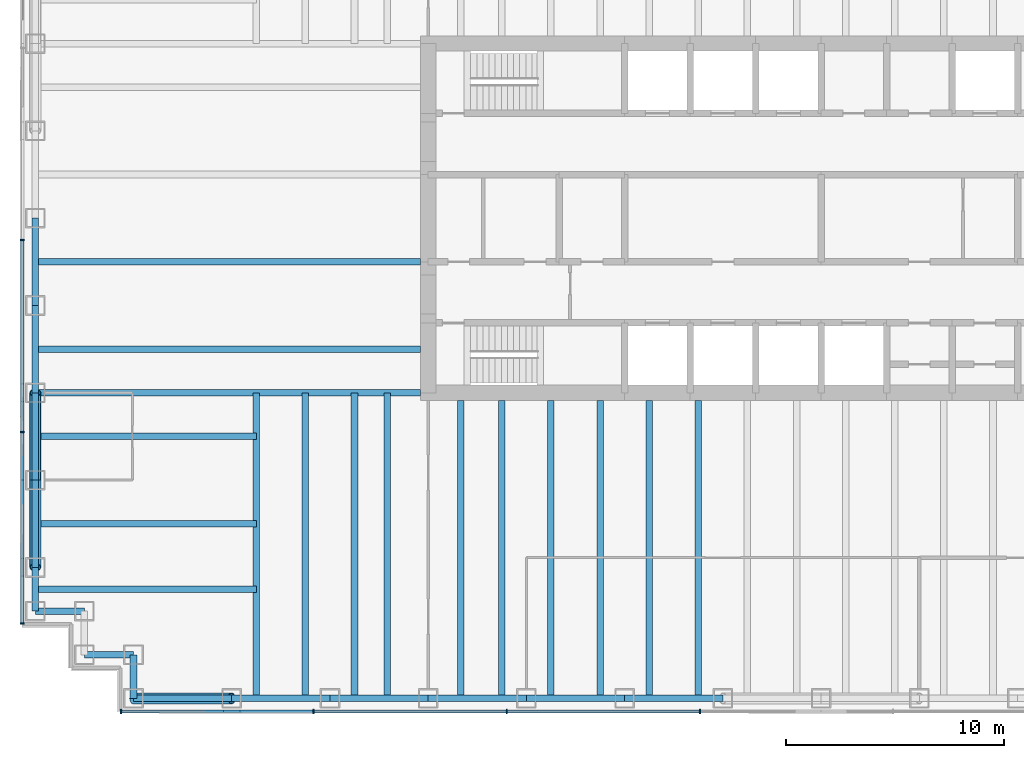
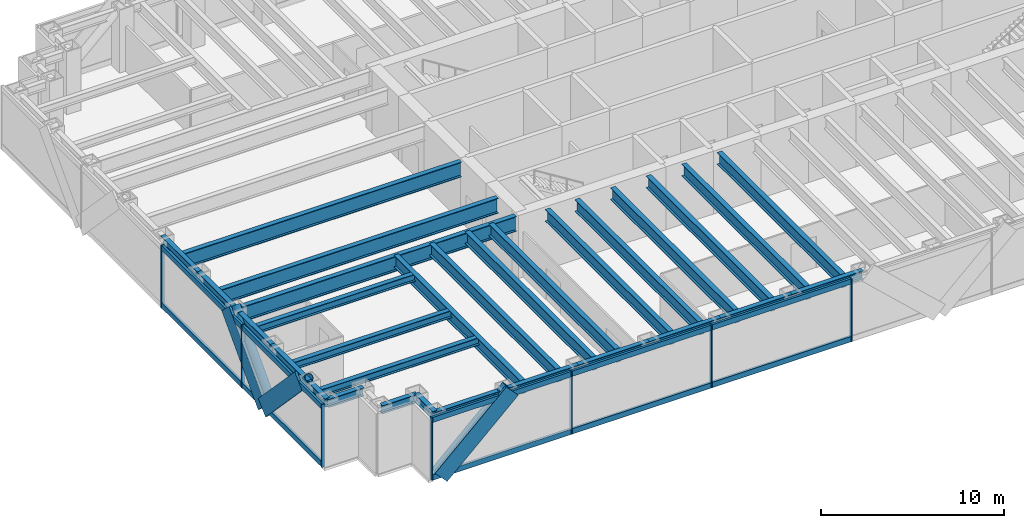
# One storey, part 2 of 17: 30 beams, 23 members, 2 elements without a shape of their own.
"""IFC4 building model written with IfcOpenShell, lengths in metres."""

from ifc_helpers import new_model, si_unit, direction, frame, origin, origin_2d, place, context, subcontext, project, spatial, rectangle, hollow_circle, i_section, extrude, material, material_profile, profile_set, type_object, element, aggregate, save


model = new_model("IFC4")

# Units and contexts
model_context = context("Model", 3, precision=1e-05, world=origin(), true_north=direction((0.0, 1.0)))
body_context = subcontext(model_context, "Body", "Model", "MODEL_VIEW")
ifc_project = project(units=[si_unit("LENGTHUNIT", "METRE"), si_unit("AREAUNIT", "SQUARE_METRE"), si_unit("VOLUMEUNIT", "CUBIC_METRE"), si_unit("PLANEANGLEUNIT", "RADIAN"), si_unit("MASSUNIT", "GRAM", prefix="KILO")], contexts=[model_context])

# Site, building, storey
site_placement = place(None, origin())
site = spatial("IfcSite", under=ifc_project, at=site_placement, CompositionType="ELEMENT")
building_placement = place(site_placement, origin())
building = spatial("IfcBuilding", under=site, at=building_placement, Name="Rheinbord Bourse Tower", CompositionType="ELEMENT")
storey_placement = place(building_placement, frame((0.0, 0.0, 304.699951171875)))
storey = spatial("IfcBuildingStorey", under=building, at=storey_placement, Name="L69", CompositionType="ELEMENT", Elevation=304.699951171875)

# Curtain wall, member
ifc_material_1 = material(Name="Dark glass and black aluminium", Category="aluminium")
curtain_wall_type = type_object("IfcCurtainWallType", Name="CW3 DARK GLASS CURTAIN WALL", PredefinedType="USERDEFINED", material=ifc_material_1)
curtain_wall_1_placement = place(storey_placement, origin())
curtain_wall_1 = element("IfcCurtainWall", 1, at=curtain_wall_1_placement, inside=storey, type_object=curtain_wall_type, Name="Curtain wall CW3 S L69", ObjectType="UNITISED CURTAIN WALL", PredefinedType="USERDEFINED")
ifc_material_2 = material(Name="Black anodised aluminium", Category="aluminium")
ifc_material_profile_1 = material_profile(ifc_material_2, rectangle(XDim=0.14990234375, YDim=1.10791015625, at=origin_2d()), Name="CW3 DIAGONAL MULLION 1108x150")
ifc_profile_set_1 = profile_set([ifc_material_profile_1], Name="Black anodised aluminium")
member_type_1 = type_object("IfcMemberType", Name="CW3 BLACK DIAGONAL MULLION", PredefinedType="USERDEFINED", material=ifc_profile_set_1)
member_1_placement = place(storey_placement, frame((4.5, 1.39990234375, 0.0), z_axis=(0.73105922506, 0.0, 0.682314010889), x_axis=(0.0, 1.0, 0.0)))
member_1 = element("IfcMember", 2, at=member_1_placement, type_object=member_type_1, Name="CW3 diagonal mullion b", ObjectType="DIAGONAL MULLION", PredefinedType="USERDEFINED", context=body_context, shape_type="SweptSolid", body=[
    extrude(rectangle(XDim=0.14990234375, YDim=1.10791015625, at=origin_2d()), origin(), (0.0, 0.0, 1.0), 6.155517578125),
])

# Curtain wall, members
curtain_wall_2_placement = place(storey_placement, origin())
curtain_wall_2 = element("IfcCurtainWall", 3, at=curtain_wall_2_placement, inside=storey, type_object=curtain_wall_type, Name="Curtain wall CW3 W L69", ObjectType="UNITISED CURTAIN WALL", PredefinedType="USERDEFINED")
member_2_placement = place(storey_placement, frame((-0.60009765625, 12.0, 0.0), z_axis=(0.0, -0.689659376744, 0.724133926887), x_axis=(1.0, 0.0, 0.0)))
member_2 = element("IfcMember", 4, at=member_2_placement, type_object=member_type_1, Name="CW3 diagonal mullion a", ObjectType="DIAGONAL MULLION", PredefinedType="USERDEFINED", context=body_context, shape_type="SweptSolid", body=[
    extrude(rectangle(XDim=0.14990234375, YDim=1.10791015625, at=origin_2d()), origin(), (0.0, 0.0, 1.0), 5.800048828125),
])
member_3_placement = place(storey_placement, frame((-0.60009765625, 12.0, 0.0), z_axis=(0.0, 0.689659376744, 0.724133926887), x_axis=(-1.0, 0.0, 0.0)))
member_3 = element("IfcMember", 5, at=member_3_placement, type_object=member_type_1, Name="CW3 diagonal mullion c", ObjectType="DIAGONAL MULLION", PredefinedType="USERDEFINED", context=body_context, shape_type="SweptSolid", body=[
    extrude(rectangle(XDim=0.14990234375, YDim=1.10791015625, at=origin_2d()), origin(), (0.0, 0.0, 1.0), 5.800048828125),
])

# Member
ifc_material_3 = material(Name="Black anodised aluminium", Category="aluminium")
ifc_material_profile_2 = material_profile(ifc_material_3, rectangle(XDim=0.199951171875, YDim=0.06494140625, at=origin_2d()), Name="CW3 MULLION 65x200")
ifc_profile_set_2 = profile_set([ifc_material_profile_2], Name="Black anodised aluminium")
member_type_2 = type_object("IfcMemberType", Name="CW3 BLACK MULLION", PredefinedType="MULLION", material=ifc_profile_set_2)
member_4_placement = place(storey_placement, frame((3.9326171875, 1.39990234375, 0.0), z_axis=(0.0, 0.0, 1.0), x_axis=(0.0, 1.0, 0.0)))
member_4 = element("IfcMember", 6, at=member_4_placement, type_object=member_type_2, Name="CW3 mullion 1", PredefinedType="MULLION", context=body_context, shape_type="SweptSolid", body=[
    extrude(rectangle(XDim=0.199951171875, YDim=0.06494140625, at=origin_2d()), origin(), (0.0, 0.0, 1.0), 4.199951171875),
])

member_5_placement = place(storey_placement, frame((12.75, 1.39990234375, 0.0), z_axis=(0.0, 0.0, 1.0), x_axis=(0.0, 1.0, 0.0)))
member_5 = element("IfcMember", 7, at=member_5_placement, type_object=member_type_2, Name="CW3 mullion 2", PredefinedType="MULLION", context=body_context, shape_type="SweptSolid", body=[
    extrude(rectangle(XDim=0.199951171875, YDim=0.06494140625, at=origin_2d()), origin(), (0.0, 0.0, 1.0), 4.199951171875),
])

member_6_placement = place(storey_placement, frame((21.60009765625, 1.39990234375, 0.0), z_axis=(0.0, 0.0, 1.0), x_axis=(0.0, 1.0, 0.0)))
member_6 = element("IfcMember", 8, at=member_6_placement, type_object=member_type_2, Name="CW3 mullion 3", PredefinedType="MULLION", context=body_context, shape_type="SweptSolid", body=[
    extrude(rectangle(XDim=0.199951171875, YDim=0.06494140625, at=origin_2d()), origin(), (0.0, 0.0, 1.0), 4.199951171875),
])

member_7_placement = place(storey_placement, frame((30.449951171875, 1.39990234375, 0.0), z_axis=(0.0, 0.0, 1.0), x_axis=(0.0, 1.0, 0.0)))
member_7 = element("IfcMember", 9, at=member_7_placement, type_object=member_type_2, Name="CW3 mullion 4", PredefinedType="MULLION", context=body_context, shape_type="SweptSolid", body=[
    extrude(rectangle(XDim=0.199951171875, YDim=0.06494140625, at=origin_2d()), origin(), (0.0, 0.0, 1.0), 4.199951171875),
])

member_8_placement = place(storey_placement, frame((-0.60009765625, 23.0, 0.0), z_axis=(0.0, 0.0, 1.0), x_axis=(1.0, 0.0, 0.0)))
member_8 = element("IfcMember", 10, at=member_8_placement, type_object=member_type_2, Name="CW3 mullion 3", PredefinedType="MULLION", context=body_context, shape_type="SweptSolid", body=[
    extrude(rectangle(XDim=0.199951171875, YDim=0.06494140625, at=origin_2d()), origin(), (0.0, 0.0, 1.0), 4.199951171875),
])

member_9_placement = place(storey_placement, frame((-0.60009765625, 14.199951171875, 0.0), z_axis=(0.0, 0.0, 1.0), x_axis=(1.0, 0.0, 0.0)))
member_9 = element("IfcMember", 11, at=member_9_placement, type_object=member_type_2, Name="CW3 mullion 4", PredefinedType="MULLION", context=body_context, shape_type="SweptSolid", body=[
    extrude(rectangle(XDim=0.199951171875, YDim=0.06494140625, at=origin_2d()), origin(), (0.0, 0.0, 1.0), 4.199951171875),
])

member_10_placement = place(storey_placement, frame((-0.60009765625, 5.4326171875, 0.0), z_axis=(0.0, 0.0, 1.0), x_axis=(1.0, 0.0, 0.0)))
member_10 = element("IfcMember", 12, at=member_10_placement, type_object=member_type_2, Name="CW3 mullion 5", PredefinedType="MULLION", context=body_context, shape_type="SweptSolid", body=[
    extrude(rectangle(XDim=0.199951171875, YDim=0.06494140625, at=origin_2d()), origin(), (0.0, 0.0, 1.0), 4.199951171875),
])

ifc_material_4 = material(Name="Black anodised aluminium", Category="aluminium")
ifc_material_profile_3 = material_profile(ifc_material_4, rectangle(XDim=0.14990234375, YDim=0.35009765625, at=origin_2d()), Name="CW3 TRANSOM 350x150")
ifc_profile_set_3 = profile_set([ifc_material_profile_3], Name="Black anodised aluminium")
member_type_3 = type_object("IfcMemberType", Name="CW3 BLACK TRANSOM", PredefinedType="USERDEFINED", material=ifc_profile_set_3)
member_11_placement = place(storey_placement, frame((3.965087890625, 1.39990234375, 0.175048828125), z_axis=(1.0, 0.0, 0.0), x_axis=(0.0, 1.0, 0.0)))
member_11 = element("IfcMember", 13, at=member_11_placement, type_object=member_type_3, Name="CW3 transom 1.1", ObjectType="TRANSOM", PredefinedType="USERDEFINED", context=body_context, shape_type="SweptSolid", body=[
    extrude(rectangle(XDim=0.14990234375, YDim=0.35009765625, at=origin_2d()), origin(), (0.0, 0.0, 1.0), 8.75244140625),
])

member_12_placement = place(storey_placement, frame((3.965087890625, 1.39990234375, 4.025146484375), z_axis=(1.0, 0.0, 0.0), x_axis=(0.0, 1.0, 0.0)))
member_12 = element("IfcMember", 14, at=member_12_placement, type_object=member_type_3, Name="CW3 transom 1.2", ObjectType="TRANSOM", PredefinedType="USERDEFINED", context=body_context, shape_type="SweptSolid", body=[
    extrude(rectangle(XDim=0.14990234375, YDim=0.35009765625, at=origin_2d()), origin(), (0.0, 0.0, 1.0), 8.75244140625),
])

member_13_placement = place(storey_placement, frame((12.782470703125, 1.39990234375, 0.175048828125), z_axis=(1.0, 0.0, 0.0), x_axis=(0.0, 1.0, 0.0)))
member_13 = element("IfcMember", 15, at=member_13_placement, type_object=member_type_3, Name="CW3 transom 2.1", ObjectType="TRANSOM", PredefinedType="USERDEFINED", context=body_context, shape_type="SweptSolid", body=[
    extrude(rectangle(XDim=0.14990234375, YDim=0.35009765625, at=origin_2d()), origin(), (0.0, 0.0, 1.0), 8.784912109375),
])

member_14_placement = place(storey_placement, frame((12.782470703125, 1.39990234375, 4.025146484375), z_axis=(1.0, 0.0, 0.0), x_axis=(0.0, 1.0, 0.0)))
member_14 = element("IfcMember", 16, at=member_14_placement, type_object=member_type_3, Name="CW3 transom 2.2", ObjectType="TRANSOM", PredefinedType="USERDEFINED", context=body_context, shape_type="SweptSolid", body=[
    extrude(rectangle(XDim=0.14990234375, YDim=0.35009765625, at=origin_2d()), origin(), (0.0, 0.0, 1.0), 8.784912109375),
])

member_15_placement = place(storey_placement, frame((21.632568359375, 1.39990234375, 0.175048828125), z_axis=(1.0, 0.0, 0.0), x_axis=(0.0, 1.0, 0.0)))
member_15 = element("IfcMember", 17, at=member_15_placement, type_object=member_type_3, Name="CW3 transom 3.1", ObjectType="TRANSOM", PredefinedType="USERDEFINED", context=body_context, shape_type="SweptSolid", body=[
    extrude(rectangle(XDim=0.14990234375, YDim=0.35009765625, at=origin_2d()), origin(), (0.0, 0.0, 1.0), 8.784912109375),
])

member_16_placement = place(storey_placement, frame((21.632568359375, 1.39990234375, 4.025146484375), z_axis=(1.0, 0.0, 0.0), x_axis=(0.0, 1.0, 0.0)))
member_16 = element("IfcMember", 18, at=member_16_placement, type_object=member_type_3, Name="CW3 transom 3.2", ObjectType="TRANSOM", PredefinedType="USERDEFINED", context=body_context, shape_type="SweptSolid", body=[
    extrude(rectangle(XDim=0.14990234375, YDim=0.35009765625, at=origin_2d()), origin(), (0.0, 0.0, 1.0), 8.784912109375),
])

aggregate(curtain_wall_1, [member_4, member_5, member_6, member_7, member_11, member_12, member_13, member_14, member_15, member_16, member_1])

member_17_placement = place(storey_placement, frame((-0.60009765625, 22.967529296875, 0.175048828125), z_axis=(0.0, -1.0, 0.0), x_axis=(1.0, 0.0, 0.0)))
member_17 = element("IfcMember", 19, at=member_17_placement, type_object=member_type_3, Name="CW3 transom 3.1", ObjectType="TRANSOM", PredefinedType="USERDEFINED", context=body_context, shape_type="SweptSolid", body=[
    extrude(rectangle(XDim=0.14990234375, YDim=0.35009765625, at=origin_2d()), origin(), (0.0, 0.0, 1.0), 8.735107421875),
])

member_18_placement = place(storey_placement, frame((-0.60009765625, 22.967529296875, 4.025146484375), z_axis=(0.0, -1.0, 0.0), x_axis=(1.0, 0.0, 0.0)))
member_18 = element("IfcMember", 20, at=member_18_placement, type_object=member_type_3, Name="CW3 transom 3.2", ObjectType="TRANSOM", PredefinedType="USERDEFINED", context=body_context, shape_type="SweptSolid", body=[
    extrude(rectangle(XDim=0.14990234375, YDim=0.35009765625, at=origin_2d()), origin(), (0.0, 0.0, 1.0), 8.735107421875),
])

member_19_placement = place(storey_placement, frame((-0.60009765625, 14.16748046875, 0.175048828125), z_axis=(0.0, -1.0, 0.0), x_axis=(1.0, 0.0, 0.0)))
member_19 = element("IfcMember", 21, at=member_19_placement, type_object=member_type_3, Name="CW3 transom 4.1", ObjectType="TRANSOM", PredefinedType="USERDEFINED", context=body_context, shape_type="SweptSolid", body=[
    extrude(rectangle(XDim=0.14990234375, YDim=0.35009765625, at=origin_2d()), origin(), (0.0, 0.0, 1.0), 8.702392578125),
])

member_20_placement = place(storey_placement, frame((-0.60009765625, 14.16748046875, 4.025146484375), z_axis=(0.0, -1.0, 0.0), x_axis=(1.0, 0.0, 0.0)))
member_20 = element("IfcMember", 22, at=member_20_placement, type_object=member_type_3, Name="CW3 transom 4.2", ObjectType="TRANSOM", PredefinedType="USERDEFINED", context=body_context, shape_type="SweptSolid", body=[
    extrude(rectangle(XDim=0.14990234375, YDim=0.35009765625, at=origin_2d()), origin(), (0.0, 0.0, 1.0), 8.702392578125),
])

aggregate(curtain_wall_2, [member_8, member_9, member_10, member_17, member_18, member_19, member_20, member_2, member_3])

# Beams
ifc_material_5 = material(Name="Steel S460", Category="steel")
ifc_material_profile_4 = material_profile(ifc_material_5, i_section(OverallWidth=0.302001953125, OverallDepth=1.008056640625, WebThickness=0.02099609375, FlangeThickness=0.0400390625, at=origin_2d()), Name="HEM 1000")
ifc_profile_set_4 = profile_set([ifc_material_profile_4], Name="Steel S460")
beam_type_1 = type_object("IfcBeamType", Name="END BEAM HEM 1000", PredefinedType="BEAM", material=ifc_profile_set_4)
for number, where, z_axis, x_axis, name in (
    (23, (0.0, 18.0, 3.5361328125), (1.0, 0.0, 0.0), (0.0, 1.0, 0.0), "End beam west 18 L70"),
    (24, (0.0, 22.0, 3.5361328125), (1.0, 0.0, 0.0), (0.0, 1.0, 0.0), "End beam west 22 L70"),
):
    element("IfcBeam", number, at=place(storey_placement, frame(where, z_axis=z_axis, x_axis=x_axis)), inside=storey, type_object=beam_type_1, Name=name, PredefinedType="BEAM", context=body_context, shape_type="SweptSolid", body=[
        extrude(i_section(OverallWidth=0.302001953125, OverallDepth=1.008056640625, WebThickness=0.02099609375, FlangeThickness=0.0400390625, at=origin_2d()), origin(), (0.0, 0.0, 1.0), 17.64990234375),
    ])
ifc_material_6 = material(Name="Steel S460", Category="steel")
ifc_material_profile_5 = material_profile(ifc_material_6, i_section(OverallWidth=0.300048828125, OverallDepth=0.800048828125, WebThickness=0.017578125, FlangeThickness=0.032958984375, at=origin_2d()), Name="HEB 800")
ifc_profile_set_5 = profile_set([ifc_material_profile_5], Name="Steel S460")
beam_type_2 = type_object("IfcBeamType", Name="FLOOR BEAM HEB 800", PredefinedType="BEAM", material=ifc_profile_set_5)
for number, where, z_axis, x_axis, name in (
    (25, (10.125, 2.0, 3.64013671875), (0.0, 1.0, 0.0), (-1.0, 0.0, 0.0), "Floor beam S-9a L70"),
    (26, (12.375, 2.0, 3.64013671875), (0.0, 1.0, 0.0), (-1.0, 0.0, 0.0), "Floor beam S-9b L70"),
    (27, (14.625, 2.0, 3.64013671875), (0.0, 1.0, 0.0), (-1.0, 0.0, 0.0), "Floor beam S-13.5a L70"),
    (28, (16.125, 2.0, 3.64013671875), (0.0, 1.0, 0.0), (-1.0, 0.0, 0.0), "Floor beam S-13.5b L70"),
):
    element("IfcBeam", number, at=place(storey_placement, frame(where, z_axis=z_axis, x_axis=x_axis)), inside=storey, type_object=beam_type_2, Name=name, PredefinedType="BEAM", context=body_context, shape_type="SweptSolid", body=[
        extrude(i_section(OverallWidth=0.300048828125, OverallDepth=0.800048828125, WebThickness=0.017578125, FlangeThickness=0.032958984375, at=origin_2d()), origin(), (0.0, 0.0, 1.0), 14.0),
    ])
for number, where, z_axis, x_axis, name in (
    (29, (19.5, 2.0, 3.64013671875), (0.0, 1.0, 0.0), (-1.0, 0.0, 0.0), "Floor beam S-18a L70"),
    (30, (21.375, 2.0, 3.64013671875), (0.0, 1.0, 0.0), (-1.0, 0.0, 0.0), "Floor beam S-18b L70"),
    (31, (23.625, 2.0, 3.64013671875), (0.0, 1.0, 0.0), (-1.0, 0.0, 0.0), "Floor beam S-22.5a L70"),
    (32, (25.875, 2.0, 3.64013671875), (0.0, 1.0, 0.0), (-1.0, 0.0, 0.0), "Floor beam S-22.5b L70"),
    (33, (28.125, 2.0, 3.64013671875), (0.0, 1.0, 0.0), (-1.0, 0.0, 0.0), "Floor beam S-27a L70"),
    (34, (30.375, 2.0, 3.64013671875), (0.0, 1.0, 0.0), (-1.0, 0.0, 0.0), "Floor beam S-27b L70"),
):
    element("IfcBeam", number, at=place(storey_placement, frame(where, z_axis=z_axis, x_axis=x_axis)), inside=storey, type_object=beam_type_2, Name=name, PredefinedType="BEAM", context=body_context, shape_type="SweptSolid", body=[
        extrude(i_section(OverallWidth=0.300048828125, OverallDepth=0.800048828125, WebThickness=0.017578125, FlangeThickness=0.032958984375, at=origin_2d()), origin(), (0.0, 0.0, 1.0), 13.64990234375),
    ])
ifc_material_7 = material(Name="Steel S460", Category="steel")
ifc_material_profile_6 = material_profile(ifc_material_7, i_section(OverallWidth=0.302001953125, OverallDepth=1.008056640625, WebThickness=0.02099609375, FlangeThickness=0.0400390625, at=origin_2d()), Name="HEM 1000")
ifc_profile_set_6 = profile_set([ifc_material_profile_6], Name="Steel S460")
beam_type_3 = type_object("IfcBeamType", Name="GIRDER HEM 1000", PredefinedType="BEAM", material=ifc_profile_set_6)
beam_1_placement = place(storey_placement, frame((0.0, 16.0, 3.5361328125), z_axis=(1.0, 0.0, 0.0), x_axis=(0.0, 1.0, 0.0)))
element("IfcBeam", 35, at=beam_1_placement, inside=storey, type_object=beam_type_3, Name="Girder west 16 L70", PredefinedType="BEAM", context=body_context, shape_type="SweptSolid", body=[
    extrude(i_section(OverallWidth=0.302001953125, OverallDepth=1.008056640625, WebThickness=0.02099609375, FlangeThickness=0.0400390625, at=origin_2d()), origin(), (0.0, 0.0, 1.0), 17.64990234375),
])

# Members
ifc_material_8 = material(Name="Steel S460", Category="steel")
ifc_material_profile_7 = material_profile(ifc_material_8, hollow_circle(Radius=0.25390625, WallThickness=0.030029296875, at=origin_2d()), Name="CHS 508x30")
ifc_profile_set_7 = profile_set([ifc_material_profile_7], Name="Steel S460")
member_type_4 = type_object("IfcMemberType", Name="MEGABRACE CHS 508x30", PredefinedType="BRACE", material=ifc_profile_set_7)
member_21_placement = place(storey_placement, frame((4.5, 2.0, 0.0), z_axis=(0.73105922506, 0.0, 0.682314010889), x_axis=(0.0, 1.0, 0.0)))
element("IfcMember", 36, at=member_21_placement, inside=storey, type_object=member_type_4, Name="Megabrace S face line b L69", PredefinedType="BRACE", context=body_context, shape_type="SweptSolid", body=[
    extrude(hollow_circle(Radius=0.25390625, WallThickness=0.030029296875, at=origin_2d()), origin(), (0.0, 0.0, 1.0), 6.155517578125),
])
for number, where, z_axis, x_axis, name in (
    (37, (0.0, 12.0, 0.0), (0.0, -0.689659376744, 0.724133926887), (1.0, 0.0, 0.0), "Megabrace W face line a L69"),
    (38, (0.0, 12.0, 0.0), (0.0, 0.689659376744, 0.724133926887), (-1.0, 0.0, 0.0), "Megabrace W face line c L69"),
):
    element("IfcMember", number, at=place(storey_placement, frame(where, z_axis=z_axis, x_axis=x_axis)), inside=storey, type_object=member_type_4, Name=name, PredefinedType="BRACE", context=body_context, shape_type="SweptSolid", body=[
        extrude(hollow_circle(Radius=0.25390625, WallThickness=0.030029296875, at=origin_2d()), origin(), (0.0, 0.0, 1.0), 5.800048828125),
    ])

# Beams
ifc_material_9 = material(Name="Steel S460", Category="steel")
ifc_material_profile_8 = material_profile(ifc_material_9, i_section(OverallWidth=0.300048828125, OverallDepth=0.550048828125, WebThickness=0.014892578125, FlangeThickness=0.029052734375, at=origin_2d()), Name="HEB 550")
ifc_profile_set_8 = profile_set([ifc_material_profile_8], Name="Steel S460")
beam_type_4 = type_object("IfcBeamType", Name="SPANDREL HEB 550", PredefinedType="SPANDREL", material=ifc_profile_set_8)
for number, where, z_axis, x_axis, name in (
    (39, (4.5, 2.0, 3.76513671875), (1.0, 0.0, 0.0), (0.0, 1.0, 0.0), "Spandrel SW-E-S-9 under L70"),
    (40, (9.0, 2.0, 3.76513671875), (1.0, 0.0, 0.0), (0.0, 1.0, 0.0), "Spandrel S-9-S-13.5 under L70"),
    (41, (13.5, 2.0, 3.76513671875), (1.0, 0.0, 0.0), (0.0, 1.0, 0.0), "Spandrel S-13.5-S-18 under L70"),
    (42, (18.0, 2.0, 3.76513671875), (1.0, 0.0, 0.0), (0.0, 1.0, 0.0), "Spandrel S-18-S-22.5 under L70"),
    (43, (22.5, 2.0, 3.76513671875), (1.0, 0.0, 0.0), (0.0, 1.0, 0.0), "Spandrel S-22.5-S-27 under L70"),
    (44, (27.0, 2.0, 3.76513671875), (1.0, 0.0, 0.0), (0.0, 1.0, 0.0), "Spandrel S-27-S-31.5 under L70"),
):
    element("IfcBeam", number, at=place(storey_placement, frame(where, z_axis=z_axis, x_axis=x_axis)), inside=storey, type_object=beam_type_4, Name=name, PredefinedType="SPANDREL", context=body_context, shape_type="SweptSolid", body=[
        extrude(i_section(OverallWidth=0.300048828125, OverallDepth=0.550048828125, WebThickness=0.014892578125, FlangeThickness=0.029052734375, at=origin_2d()), origin(), (0.0, 0.0, 1.0), 4.5),
    ])
for number, where, z_axis, x_axis, name in (
    (45, (0.0, 24.0, 3.76513671875), (0.0, -1.0, 0.0), (1.0, 0.0, 0.0), "Spandrel W-24-W-20 under L70"),
    (46, (0.0, 20.0, 3.76513671875), (0.0, -1.0, 0.0), (1.0, 0.0, 0.0), "Spandrel W-20-W-16 under L70"),
    (47, (0.0, 16.0, 3.76513671875), (0.0, -1.0, 0.0), (1.0, 0.0, 0.0), "Spandrel W-16-W-12 under L70"),
    (48, (0.0, 12.0, 3.76513671875), (0.0, -1.0, 0.0), (1.0, 0.0, 0.0), "Spandrel W-12-W-8 under L70"),
):
    element("IfcBeam", number, at=place(storey_placement, frame(where, z_axis=z_axis, x_axis=x_axis)), inside=storey, type_object=beam_type_4, Name=name, PredefinedType="SPANDREL", context=body_context, shape_type="SweptSolid", body=[
        extrude(i_section(OverallWidth=0.300048828125, OverallDepth=0.550048828125, WebThickness=0.014892578125, FlangeThickness=0.029052734375, at=origin_2d()), origin(), (0.0, 0.0, 1.0), 4.0),
    ])
beam_2_placement = place(storey_placement, frame((0.0, 8.0, 3.76513671875), z_axis=(0.0, -1.0, 0.0), x_axis=(1.0, 0.0, 0.0)))
element("IfcBeam", 49, at=beam_2_placement, inside=storey, type_object=beam_type_4, Name="Spandrel W-8-SW-A under L70", PredefinedType="SPANDREL", context=body_context, shape_type="SweptSolid", body=[
    extrude(i_section(OverallWidth=0.300048828125, OverallDepth=0.550048828125, WebThickness=0.014892578125, FlangeThickness=0.029052734375, at=origin_2d()), origin(), (0.0, 0.0, 1.0), 2.0),
])
for number, where, z_axis, x_axis, name in (
    (50, (0.0, 6.0, 3.76513671875), (1.0, 0.0, 0.0), (0.0, 1.0, 0.0), "Spandrel SW-A-SW-B under L70"),
    (51, (2.25, 4.0, 3.76513671875), (1.0, 0.0, 0.0), (0.0, 1.0, 0.0), "Spandrel SW-C-SW-D under L70"),
):
    element("IfcBeam", number, at=place(storey_placement, frame(where, z_axis=z_axis, x_axis=x_axis)), inside=storey, type_object=beam_type_4, Name=name, PredefinedType="SPANDREL", context=body_context, shape_type="SweptSolid", body=[
        extrude(i_section(OverallWidth=0.300048828125, OverallDepth=0.550048828125, WebThickness=0.014892578125, FlangeThickness=0.029052734375, at=origin_2d()), origin(), (0.0, 0.0, 1.0), 2.25),
    ])
beam_3_placement = place(storey_placement, frame((4.5, 4.0, 3.76513671875), z_axis=(0.0, -1.0, 0.0), x_axis=(1.0, 0.0, 0.0)))
element("IfcBeam", 52, at=beam_3_placement, inside=storey, type_object=beam_type_4, Name="Spandrel SW-D-SW-E under L70", PredefinedType="SPANDREL", context=body_context, shape_type="SweptSolid", body=[
    extrude(i_section(OverallWidth=0.300048828125, OverallDepth=0.550048828125, WebThickness=0.014892578125, FlangeThickness=0.029052734375, at=origin_2d()), origin(), (0.0, 0.0, 1.0), 2.0),
])
ifc_material_10 = material(Name="Steel S460", Category="steel")
ifc_material_profile_9 = material_profile(ifc_material_10, i_section(OverallWidth=0.300048828125, OverallDepth=0.5, WebThickness=0.014404296875, FlangeThickness=0.028076171875, at=origin_2d()), Name="HEB 500")
ifc_profile_set_9 = profile_set([ifc_material_profile_9], Name="Steel S460")
beam_type_5 = type_object("IfcBeamType", Name="TIE BEAM HEB 500", PredefinedType="JOIST", material=ifc_profile_set_9)
for number, where, z_axis, x_axis, name in (
    (53, (0.0, 7.0, 3.7900390625), (1.0, 0.0, 0.0), (0.0, 1.0, 0.0), "Tie west 7 L70"),
    (54, (0.0, 10.0, 3.7900390625), (1.0, 0.0, 0.0), (0.0, 1.0, 0.0), "Tie west 10 L70"),
    (55, (0.0, 14.0, 3.7900390625), (1.0, 0.0, 0.0), (0.0, 1.0, 0.0), "Tie west 14 L70"),
):
    element("IfcBeam", number, at=place(storey_placement, frame(where, z_axis=z_axis, x_axis=x_axis)), inside=storey, type_object=beam_type_5, Name=name, PredefinedType="JOIST", context=body_context, shape_type="SweptSolid", body=[
        extrude(i_section(OverallWidth=0.300048828125, OverallDepth=0.5, WebThickness=0.014404296875, FlangeThickness=0.028076171875, at=origin_2d()), origin(), (0.0, 0.0, 1.0), 10.125),
    ])

save(model, "model.ifc")
